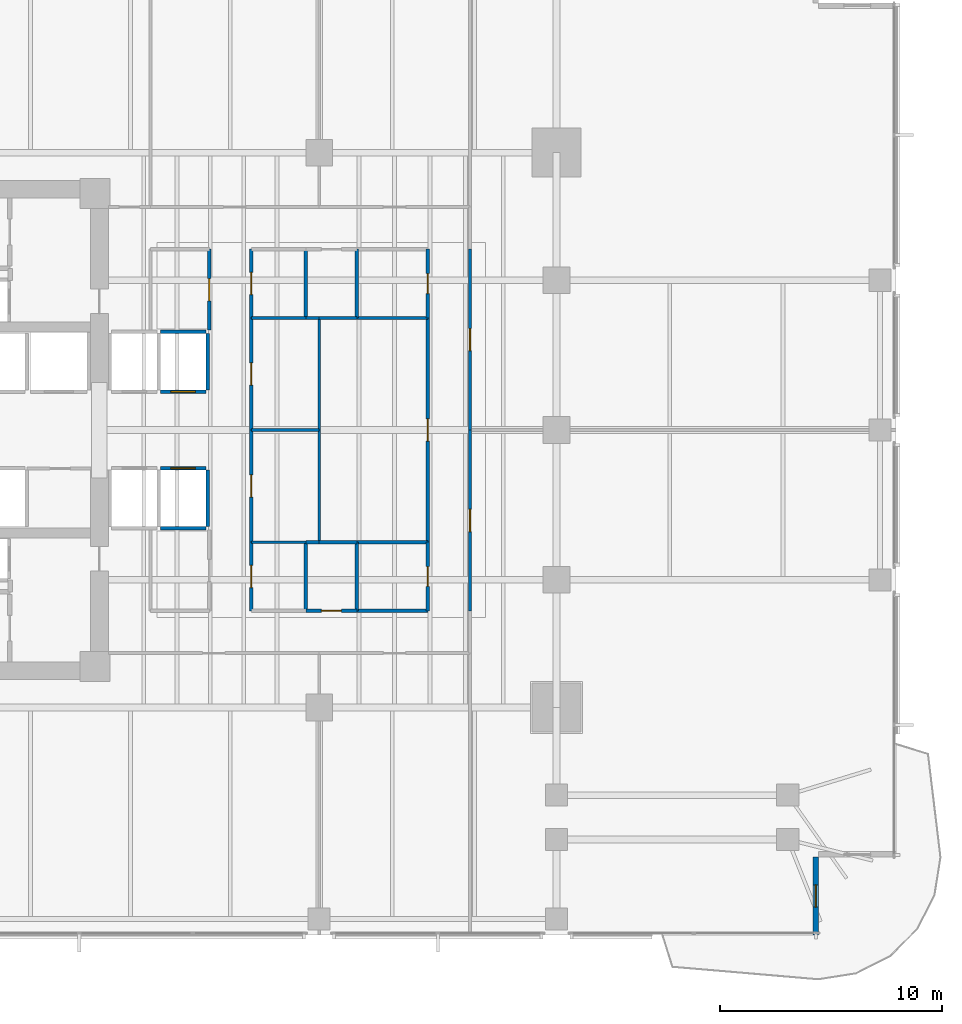
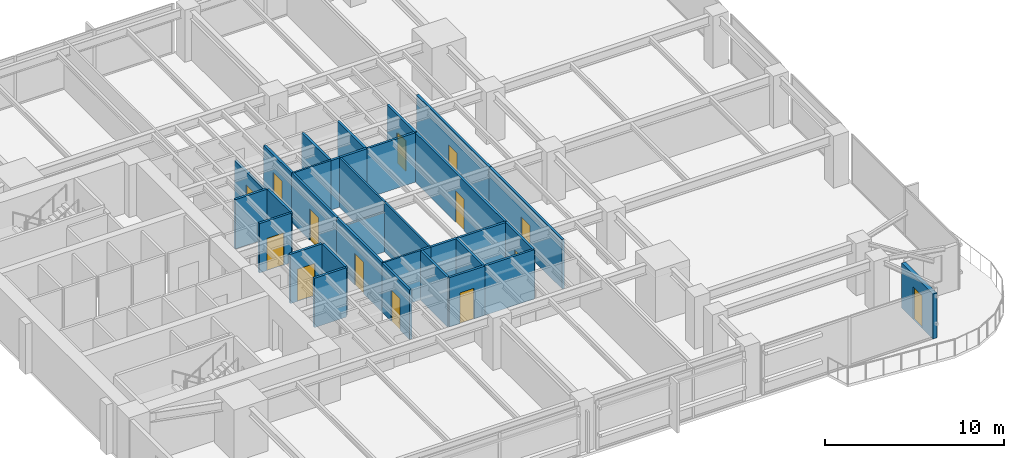
# One storey, part 9 of 15: 34 walls, 14 doors, 14 openings.
"""IFC4 building model written with IfcOpenShell, lengths in metres."""

from ifc_helpers import new_model, si_unit, direction, frame, frame_2d, origin, place, context, subcontext, project, spatial, rectangle, extrude, material, layer, layer_set, type_object, element, fill, save


model = new_model("IFC4")

# Units and contexts
model_context = context("Model", 3, precision=1e-05, world=origin(), true_north=direction((0.0, 1.0)))
body_context = subcontext(model_context, "Body", "Model", "MODEL_VIEW")
ifc_project = project(units=[si_unit("LENGTHUNIT", "METRE"), si_unit("AREAUNIT", "SQUARE_METRE"), si_unit("VOLUMEUNIT", "CUBIC_METRE"), si_unit("PLANEANGLEUNIT", "RADIAN"), si_unit("MASSUNIT", "GRAM", prefix="KILO")], contexts=[model_context])

# Site, building, storey
site_placement = place(None, origin())
site = spatial("IfcSite", under=ifc_project, at=site_placement, CompositionType="ELEMENT")
building_placement = place(site_placement, origin())
building = spatial("IfcBuilding", under=site, at=building_placement, Name="Kinhvarn Gate Tower", CompositionType="ELEMENT")
storey_placement = place(building_placement, frame((0.0, 0.0, 43.35009765625)))
storey = spatial("IfcBuildingStorey", under=building, at=storey_placement, Name="L10", CompositionType="ELEMENT", Elevation=43.35009765625)

# Wall, opening, door
ifc_material_1 = material(Name="Fired architectural terracotta", Category="masonry")
ifc_layer_1 = layer(ifc_material_1, 0.25)
ifc_layer_set_1 = layer_set([ifc_layer_1], Name="Fired architectural terracotta")
wall_type_1 = type_object("IfcWallType", Name="WL-EXT-250", PredefinedType="SOLIDWALL", material=ifc_layer_set_1)
wall_1_placement = place(storey_placement, frame((49.875, 2.5, 0.0), z_axis=(0.0, 0.0, 1.0), x_axis=(0.0, 1.0, 0.0)))
wall_1 = element("IfcWall", 1, at=wall_1_placement, inside=storey, type_object=wall_type_1, Name="Exterior Solidwall Wall EW-250 (L10 SE-Notch-Door)", PredefinedType="SOLIDWALL", context=body_context, shape_type="SweptSolid", body=[
    extrude(rectangle(XDim=3.5, YDim=0.25, at=frame_2d((1.75, 0.0))), origin(), (0.0, 0.0, 1.0), 3.06982421875),
])
opening_1_placement = place(wall_1_placement, frame((1.25, 0.0, 0.0)))
opening_1 = element("IfcOpeningElement", 2, at=opening_1_placement, cuts=wall_1, Name="Opening BD-01", PredefinedType="OPENING", context=body_context, shape_type="SweptSolid", body=[
    extrude(rectangle(XDim=1.0, YDim=2.199951171875, at=frame_2d((0.5, 1.10009765625))), frame((0.0, 0.135009765625, 0.0), z_axis=(0.0, -1.0, 0.0), x_axis=(1.0, 0.0, 0.0)), (0.0, 0.0, 1.0), 0.27001953125),
])
ifc_material_2 = material(Name="Clear low-e double glazing", Category="glass")
door_type_1 = type_object("IfcDoorType", Name="DR-BAL-1000", OperationType="NOTDEFINED", PredefinedType="DOOR", material=ifc_material_2)
door_1_placement = place(opening_1_placement, frame((1.0, 0.0, 0.0), z_axis=(0.0, 0.0, 1.0), x_axis=(-1.0, 0.0, 0.0)))
door_1 = element("IfcDoor", 3, at=door_1_placement, inside=storey, type_object=door_type_1, Name="S-Carve Balcony Door BD-01 (L10)", OperationType="SINGLE_SWING_LEFT", OverallHeight=2.199951171875, OverallWidth=1.0, PredefinedType="DOOR", context=body_context, shape_type="SweptSolid", body=[
    extrude(rectangle(XDim=1.0, YDim=2.199951171875, at=frame_2d((0.5, 1.10009765625))), frame((0.0, 0.02490234375, 0.0), z_axis=(0.0, -1.0, 0.0), x_axis=(1.0, 0.0, 0.0)), (0.0, 0.0, 1.0), 0.050048828125),
])
fill(opening_1, door_1)

# Walls
ifc_material_3 = material(Name="Gypsum acoustic partition board")
ifc_layer_2 = layer(ifc_material_3, 0.14990234375)
ifc_layer_set_2 = layer_set([ifc_layer_2], Name="Gypsum acoustic partition board")
wall_type_2 = type_object("IfcWallType", Name="WL-PLM-150", PredefinedType="PLUMBINGWALL", material=ifc_layer_set_2)
wall_2_placement = place(storey_placement, frame((29.199951171875, 17.10009765625, 0.0), z_axis=(0.0, 0.0, 1.0), x_axis=(0.0, 1.0, 0.0)))
element("IfcWall", 4, at=wall_2_placement, inside=storey, type_object=wall_type_2, Name="Interior Partition PLW-150 (L10)", PredefinedType="PLUMBINGWALL", context=body_context, shape_type="SweptSolid", body=[
    extrude(rectangle(XDim=3.099853515625, YDim=0.14990234375, at=frame_2d((1.5498046875, 0.0))), origin(), (0.0, 0.0, 1.0), 3.369873046875),
])
wall_3_placement = place(storey_placement, frame((29.199951171875, 20.199951171875, 0.0), z_axis=(0.0, 0.0, 1.0), x_axis=(1.0, 0.0, 0.0)))
element("IfcWall", 5, at=wall_3_placement, inside=storey, type_object=wall_type_2, Name="Interior Partition PLW-150 (L10)", PredefinedType="PLUMBINGWALL", context=body_context, shape_type="SweptSolid", body=[
    extrude(rectangle(XDim=3.199951171875, YDim=0.14990234375, at=frame_2d((1.60009765625, 0.0))), origin(), (0.0, 0.0, 1.0), 3.369873046875),
])
wall_4_placement = place(storey_placement, frame((29.199951171875, 30.300048828125, 0.0), z_axis=(0.0, 0.0, 1.0), x_axis=(0.0, 1.0, 0.0)))
element("IfcWall", 6, at=wall_4_placement, inside=storey, type_object=wall_type_2, Name="Interior Partition PLW-150 (L10)", PredefinedType="PLUMBINGWALL", context=body_context, shape_type="SweptSolid", body=[
    extrude(rectangle(XDim=3.099853515625, YDim=0.14990234375, at=frame_2d((1.5498046875, 0.0))), origin(), (0.0, 0.0, 1.0), 3.369873046875),
])
wall_5_placement = place(storey_placement, frame((29.199951171875, 30.300048828125, 0.0), z_axis=(0.0, 0.0, 1.0), x_axis=(1.0, 0.0, 0.0)))
element("IfcWall", 7, at=wall_5_placement, inside=storey, type_object=wall_type_2, Name="Interior Partition PLW-150 (L10)", PredefinedType="PLUMBINGWALL", context=body_context, shape_type="SweptSolid", body=[
    extrude(rectangle(XDim=3.199951171875, YDim=0.14990234375, at=frame_2d((1.60009765625, 0.0))), origin(), (0.0, 0.0, 1.0), 3.369873046875),
])
wall_6_placement = place(storey_placement, frame((26.89990234375, 17.10009765625, 0.0), z_axis=(0.0, 0.0, 1.0), x_axis=(0.0, 1.0, 0.0)))
element("IfcWall", 8, at=wall_6_placement, inside=storey, type_object=wall_type_2, Name="Interior Partition PLW-150 (L10)", PredefinedType="PLUMBINGWALL", context=body_context, shape_type="SweptSolid", body=[
    extrude(rectangle(XDim=3.099853515625, YDim=0.14990234375, at=frame_2d((1.5498046875, 0.0))), origin(), (0.0, 0.0, 1.0), 3.369873046875),
])
wall_7_placement = place(storey_placement, frame((26.89990234375, 20.199951171875, 0.0), z_axis=(0.0, 0.0, 1.0), x_axis=(1.0, 0.0, 0.0)))
element("IfcWall", 9, at=wall_7_placement, inside=storey, type_object=wall_type_2, Name="Interior Partition PLW-150 (L10)", PredefinedType="PLUMBINGWALL", context=body_context, shape_type="SweptSolid", body=[
    extrude(rectangle(XDim=0.60009765625, YDim=0.14990234375, at=frame_2d((0.300048828125, 0.0))), origin(), (0.0, 0.0, 1.0), 3.369873046875),
])
wall_8_placement = place(storey_placement, frame((27.5, 20.199951171875, 0.0), z_axis=(0.0, 0.0, 1.0), x_axis=(1.0, 0.0, 0.0)))
element("IfcWall", 10, at=wall_8_placement, inside=storey, type_object=wall_type_2, Name="Interior Partition PLW-150 (L10)", PredefinedType="PLUMBINGWALL", context=body_context, shape_type="SweptSolid", body=[
    extrude(rectangle(XDim=1.699951171875, YDim=0.14990234375, at=frame_2d((0.85009765625, 0.0))), origin(), (0.0, 0.0, 1.0), 3.369873046875),
])
wall_9_placement = place(storey_placement, frame((26.89990234375, 30.300048828125, 0.0), z_axis=(0.0, 0.0, 1.0), x_axis=(0.0, 1.0, 0.0)))
element("IfcWall", 11, at=wall_9_placement, inside=storey, type_object=wall_type_2, Name="Interior Partition PLW-150 (L10)", PredefinedType="PLUMBINGWALL", context=body_context, shape_type="SweptSolid", body=[
    extrude(rectangle(XDim=3.099853515625, YDim=0.14990234375, at=frame_2d((1.5498046875, 0.0))), origin(), (0.0, 0.0, 1.0), 3.369873046875),
])
wall_10_placement = place(storey_placement, frame((26.89990234375, 30.300048828125, 0.0), z_axis=(0.0, 0.0, 1.0), x_axis=(1.0, 0.0, 0.0)))
element("IfcWall", 12, at=wall_10_placement, inside=storey, type_object=wall_type_2, Name="Interior Partition PLW-150 (L10)", PredefinedType="PLUMBINGWALL", context=body_context, shape_type="SweptSolid", body=[
    extrude(rectangle(XDim=0.60009765625, YDim=0.14990234375, at=frame_2d((0.300048828125, 0.0))), origin(), (0.0, 0.0, 1.0), 3.369873046875),
])
wall_11_placement = place(storey_placement, frame((27.5, 30.300048828125, 0.0), z_axis=(0.0, 0.0, 1.0), x_axis=(1.0, 0.0, 0.0)))
element("IfcWall", 13, at=wall_11_placement, inside=storey, type_object=wall_type_2, Name="Interior Partition PLW-150 (L10)", PredefinedType="PLUMBINGWALL", context=body_context, shape_type="SweptSolid", body=[
    extrude(rectangle(XDim=1.699951171875, YDim=0.14990234375, at=frame_2d((0.85009765625, 0.0))), origin(), (0.0, 0.0, 1.0), 3.369873046875),
])
ifc_layer_3 = layer(ifc_material_3, 0.14990234375)
ifc_layer_set_3 = layer_set([ifc_layer_3], Name="Gypsum acoustic partition board")
wall_type_3 = type_object("IfcWallType", Name="WL-PLM-150F", PredefinedType="PLUMBINGWALL", material=ifc_layer_set_3)
wall_12_placement = place(storey_placement, frame((29.199951171875, 17.10009765625, 0.0), z_axis=(0.0, 0.0, 1.0), x_axis=(1.0, 0.0, 0.0)))
element("IfcWall", 14, at=wall_12_placement, inside=storey, type_object=wall_type_3, Name="Interior Partition PLW-150F (L10)", PredefinedType="PLUMBINGWALL", context=body_context, shape_type="SweptSolid", body=[
    extrude(rectangle(XDim=3.199951171875, YDim=0.14990234375, at=frame_2d((1.60009765625, 0.0))), origin(), (0.0, 0.0, 1.0), 3.369873046875),
])

# Wall, opening, door
wall_13_placement = place(storey_placement, frame((26.89990234375, 17.10009765625, 0.0), z_axis=(0.0, 0.0, 1.0), x_axis=(1.0, 0.0, 0.0)))
wall_13 = element("IfcWall", 15, at=wall_13_placement, inside=storey, type_object=wall_type_3, Name="Interior Partition PLW-150F (L10)", PredefinedType="PLUMBINGWALL", context=body_context, shape_type="SweptSolid", body=[
    extrude(rectangle(XDim=2.300048828125, YDim=0.14990234375, at=frame_2d((1.14990234375, 0.0))), origin(), (0.0, 0.0, 1.0), 3.369873046875),
])
opening_2_placement = place(wall_13_placement, frame((0.699951171875, 0.0, 0.0)))
opening_2 = element("IfcOpeningElement", 16, at=opening_2_placement, cuts=wall_13, Name="Opening FD-04", PredefinedType="OPENING", context=body_context, shape_type="SweptSolid", body=[
    extrude(rectangle(XDim=0.89990234375, YDim=2.10009765625, at=frame_2d((0.449951171875, 1.050048828125))), frame((0.0, 0.0849609375, 0.0), z_axis=(0.0, -1.0, 0.0), x_axis=(1.0, 0.0, 0.0)), (0.0, 0.0, 1.0), 0.169921875),
])
ifc_material_4 = material(Name="Anodised aluminium AW-6063", Category="aluminium")
door_type_2 = type_object("IfcDoorType", Name="DR-FD-900", OperationType="NOTDEFINED", PredefinedType="DOOR", material=ifc_material_4)
door_2_placement = place(opening_2_placement, origin())
door_2 = element("IfcDoor", 17, at=door_2_placement, inside=storey, type_object=door_type_2, Name="Rated Riser & Service Closet Fire Door 900x2100 mm (L10)", OperationType="SINGLE_SWING_RIGHT", OverallHeight=2.10009765625, OverallWidth=0.89990234375, PredefinedType="DOOR", context=body_context, shape_type="SweptSolid", body=[
    extrude(rectangle(XDim=0.89990234375, YDim=2.10009765625, at=frame_2d((0.449951171875, 1.050048828125))), frame((0.0, 0.02490234375, 0.0), z_axis=(0.0, -1.0, 0.0), x_axis=(1.0, 0.0, 0.0)), (0.0, 0.0, 1.0), 0.050048828125),
])
fill(opening_2, door_2)

wall_14_placement = place(storey_placement, frame((32.39990234375, 17.10009765625, 0.0), z_axis=(0.0, 0.0, 1.0), x_axis=(0.0, 1.0, 0.0)))
wall_14 = element("IfcWall", 18, at=wall_14_placement, inside=storey, type_object=wall_type_3, Name="Interior Partition PLW-150F (L10)", PredefinedType="PLUMBINGWALL", context=body_context, shape_type="SweptSolid", body=[
    extrude(rectangle(XDim=3.099853515625, YDim=0.14990234375, at=frame_2d((1.5498046875, 0.0))), origin(), (0.0, 0.0, 1.0), 3.369873046875),
])
opening_3_placement = place(wall_14_placement, frame((1.10009765625, 0.0, 0.0)))
opening_3 = element("IfcOpeningElement", 19, at=opening_3_placement, cuts=wall_14, Name="Opening FD-04", PredefinedType="OPENING", context=body_context, shape_type="SweptSolid", body=[
    extrude(rectangle(XDim=0.89990234375, YDim=2.10009765625, at=frame_2d((0.449951171875, 1.050048828125))), frame((0.0, 0.0849609375, 0.0), z_axis=(0.0, -1.0, 0.0), x_axis=(1.0, 0.0, 0.0)), (0.0, 0.0, 1.0), 0.169921875),
])
door_3_placement = place(opening_3_placement, origin())
door_3 = element("IfcDoor", 20, at=door_3_placement, inside=storey, type_object=door_type_2, Name="Rated Riser & Service Closet Fire Door 900x2100 mm (L10)", OperationType="SINGLE_SWING_LEFT", OverallHeight=2.10009765625, OverallWidth=0.89990234375, PredefinedType="DOOR", context=body_context, shape_type="SweptSolid", body=[
    extrude(rectangle(XDim=0.89990234375, YDim=2.10009765625, at=frame_2d((0.449951171875, 1.050048828125))), frame((0.0, 0.02490234375, 0.0), z_axis=(0.0, -1.0, 0.0), x_axis=(1.0, 0.0, 0.0)), (0.0, 0.0, 1.0), 0.050048828125),
])
fill(opening_3, door_3)

wall_15_placement = place(storey_placement, frame((32.39990234375, 30.300048828125, 0.0), z_axis=(0.0, 0.0, 1.0), x_axis=(0.0, 1.0, 0.0)))
wall_15 = element("IfcWall", 21, at=wall_15_placement, inside=storey, type_object=wall_type_3, Name="Interior Partition PLW-150F (L10)", PredefinedType="PLUMBINGWALL", context=body_context, shape_type="SweptSolid", body=[
    extrude(rectangle(XDim=3.099853515625, YDim=0.14990234375, at=frame_2d((1.5498046875, 0.0))), origin(), (0.0, 0.0, 1.0), 3.369873046875),
])
opening_4_placement = place(wall_15_placement, frame((1.10009765625, 0.0, 0.0)))
opening_4 = element("IfcOpeningElement", 22, at=opening_4_placement, cuts=wall_15, Name="Opening FD-04", PredefinedType="OPENING", context=body_context, shape_type="SweptSolid", body=[
    extrude(rectangle(XDim=0.89990234375, YDim=2.10009765625, at=frame_2d((0.449951171875, 1.050048828125))), frame((0.0, 0.0849609375, 0.0), z_axis=(0.0, -1.0, 0.0), x_axis=(1.0, 0.0, 0.0)), (0.0, 0.0, 1.0), 0.169921875),
])
door_4_placement = place(opening_4_placement, origin())
door_4 = element("IfcDoor", 23, at=door_4_placement, inside=storey, type_object=door_type_2, Name="Rated Riser & Service Closet Fire Door 900x2100 mm (L10)", OperationType="SINGLE_SWING_RIGHT", OverallHeight=2.10009765625, OverallWidth=0.89990234375, PredefinedType="DOOR", context=body_context, shape_type="SweptSolid", body=[
    extrude(rectangle(XDim=0.89990234375, YDim=2.10009765625, at=frame_2d((0.449951171875, 1.050048828125))), frame((0.0, 0.02490234375, 0.0), z_axis=(0.0, -1.0, 0.0), x_axis=(1.0, 0.0, 0.0)), (0.0, 0.0, 1.0), 0.050048828125),
])
fill(opening_4, door_4)

# Walls
ifc_layer_4 = layer(ifc_material_3, 0.1201171875)
ifc_layer_set_4 = layer_set([ifc_layer_4], Name="Gypsum acoustic partition board")
wall_type_4 = type_object("IfcWallType", Name="WL-PRT-120", PredefinedType="PARTITIONING", material=ifc_layer_set_4)
for number, where, z_axis, x_axis, name in (
    (24, (24.449951171875, 20.199951171875, 0.0), (0.0, 0.0, 1.0), (1.0, 0.0, 0.0), "Interior Partition PW-120 (L10)"),
    (25, (24.449951171875, 30.300048828125, 0.0), (0.0, 0.0, 1.0), (1.0, 0.0, 0.0), "Interior Partition PW-120 (L10)"),
):
    element("IfcWall", number, at=place(storey_placement, frame(where, z_axis=z_axis, x_axis=x_axis)), inside=storey, type_object=wall_type_4, Name=name, PredefinedType="PARTITIONING", context=body_context, shape_type="SweptSolid", body=[
        extrude(rectangle(XDim=2.449951171875, YDim=0.1201171875, at=frame_2d((1.22509765625, 0.0))), origin(), (0.0, 0.0, 1.0), 3.369873046875),
    ])
wall_16_placement = place(storey_placement, frame((24.449951171875, 25.25, 0.0), z_axis=(0.0, 0.0, 1.0), x_axis=(1.0, 0.0, 0.0)))
element("IfcWall", 26, at=wall_16_placement, inside=storey, type_object=wall_type_4, Name="Interior Partition PW-120 (L10)", PredefinedType="PARTITIONING", context=body_context, shape_type="SweptSolid", body=[
    extrude(rectangle(XDim=3.050048828125, YDim=0.1201171875, at=frame_2d((1.52490234375, 0.0))), origin(), (0.0, 0.0, 1.0), 2.719970703125),
])
for number, where, z_axis, x_axis, name in (
    (27, (27.5, 20.199951171875, 0.0), (0.0, 0.0, 1.0), (0.0, 1.0, 0.0), "Interior Partition PW-120 (L10)"),
    (28, (27.5, 25.25, 0.0), (0.0, 0.0, 1.0), (0.0, 1.0, 0.0), "Interior Partition PW-120 (L10)"),
):
    element("IfcWall", number, at=place(storey_placement, frame(where, z_axis=z_axis, x_axis=x_axis)), inside=storey, type_object=wall_type_4, Name=name, PredefinedType="PARTITIONING", context=body_context, shape_type="SweptSolid", body=[
        extrude(rectangle(XDim=5.050048828125, YDim=0.1201171875, at=frame_2d((2.52490234375, 0.0))), origin(), (0.0, 0.0, 1.0), 3.369873046875),
    ])

# Wall, opening, door
ifc_layer_5 = layer(ifc_material_3, 0.14990234375)
ifc_layer_set_5 = layer_set([ifc_layer_5], Name="Gypsum acoustic partition board")
wall_type_5 = type_object("IfcWallType", Name="WL-PRT-150F", PredefinedType="PARTITIONING", material=ifc_layer_set_5)
wall_17_placement = place(storey_placement, frame((22.550048828125, 29.75, 0.0), z_axis=(0.0, 0.0, 1.0), x_axis=(0.0, 1.0, 0.0)))
wall_17 = element("IfcWall", 29, at=wall_17_placement, inside=storey, type_object=wall_type_5, Name="Interior Partition PW-150F (L10)", PredefinedType="PARTITIONING", context=body_context, shape_type="SweptSolid", body=[
    extrude(rectangle(XDim=3.64990234375, YDim=0.14990234375, at=frame_2d((1.824951171875, 0.0))), origin(), (0.0, 0.0, 1.0), 3.010009765625),
])
opening_5_placement = place(wall_17_placement, frame((1.324951171875, 0.0, 0.0)))
opening_5 = element("IfcOpeningElement", 30, at=opening_5_placement, cuts=wall_17, Name="Opening ID-02", PredefinedType="OPENING", context=body_context, shape_type="SweptSolid", body=[
    extrude(rectangle(XDim=1.0, YDim=2.14990234375, at=frame_2d((0.5, 1.074951171875))), frame((0.0, 0.0849609375, 0.0), z_axis=(0.0, -1.0, 0.0), x_axis=(1.0, 0.0, 0.0)), (0.0, 0.0, 1.0), 0.169921875),
])
door_type_3 = type_object("IfcDoorType", Name="DR-INT-1000", OperationType="NOTDEFINED", PredefinedType="DOOR", material=ifc_material_4)
door_5_placement = place(opening_5_placement, origin())
door_5 = element("IfcDoor", 31, at=door_5_placement, inside=storey, type_object=door_type_3, Name="Standard Office & Meeting Room Door 1000x2150 mm (L10)", OperationType="SINGLE_SWING_LEFT", OverallHeight=2.14990234375, OverallWidth=1.0, PredefinedType="DOOR", context=body_context, shape_type="SweptSolid", body=[
    extrude(rectangle(XDim=1.0, YDim=2.14990234375, at=frame_2d((0.5, 1.074951171875))), frame((0.0, 0.02490234375, 0.0), z_axis=(0.0, -1.0, 0.0), x_axis=(1.0, 0.0, 0.0)), (0.0, 0.0, 1.0), 0.050048828125),
])
fill(opening_5, door_5)

wall_18_placement = place(storey_placement, frame((24.449951171875, 17.10009765625, 0.0), z_axis=(0.0, 0.0, 1.0), x_axis=(0.0, 1.0, 0.0)))
wall_18 = element("IfcWall", 32, at=wall_18_placement, inside=storey, type_object=wall_type_5, Name="Interior Partition PW-150F (L10)", PredefinedType="PARTITIONING", context=body_context, shape_type="SweptSolid", body=[
    extrude(rectangle(XDim=3.099853515625, YDim=0.14990234375, at=frame_2d((1.5498046875, 0.0))), origin(), (0.0, 0.0, 1.0), 3.369873046875),
])
opening_6_placement = place(wall_18_placement, frame((1.050048828125, 0.0, 0.0)))
opening_6 = element("IfcOpeningElement", 33, at=opening_6_placement, cuts=wall_18, Name="Opening ID-02", PredefinedType="OPENING", context=body_context, shape_type="SweptSolid", body=[
    extrude(rectangle(XDim=1.0, YDim=2.14990234375, at=frame_2d((0.5, 1.074951171875))), frame((0.0, 0.0849609375, 0.0), z_axis=(0.0, -1.0, 0.0), x_axis=(1.0, 0.0, 0.0)), (0.0, 0.0, 1.0), 0.169921875),
])
door_6_placement = place(opening_6_placement, origin())
door_6 = element("IfcDoor", 34, at=door_6_placement, inside=storey, type_object=door_type_3, Name="Standard Office & Meeting Room Door 1000x2150 mm (L10)", OperationType="SINGLE_SWING_RIGHT", OverallHeight=2.14990234375, OverallWidth=1.0, PredefinedType="DOOR", context=body_context, shape_type="SweptSolid", body=[
    extrude(rectangle(XDim=1.0, YDim=2.14990234375, at=frame_2d((0.5, 1.074951171875))), frame((0.0, 0.02490234375, 0.0), z_axis=(0.0, -1.0, 0.0), x_axis=(1.0, 0.0, 0.0)), (0.0, 0.0, 1.0), 0.050048828125),
])
fill(opening_6, door_6)

wall_19_placement = place(storey_placement, frame((24.449951171875, 30.300048828125, 0.0), z_axis=(0.0, 0.0, 1.0), x_axis=(0.0, 1.0, 0.0)))
wall_19 = element("IfcWall", 35, at=wall_19_placement, inside=storey, type_object=wall_type_5, Name="Interior Partition PW-150F (L10)", PredefinedType="PARTITIONING", context=body_context, shape_type="SweptSolid", body=[
    extrude(rectangle(XDim=3.099853515625, YDim=0.14990234375, at=frame_2d((1.5498046875, 0.0))), origin(), (0.0, 0.0, 1.0), 3.369873046875),
])
opening_7_placement = place(wall_19_placement, frame((1.050048828125, 0.0, 0.0)))
opening_7 = element("IfcOpeningElement", 36, at=opening_7_placement, cuts=wall_19, Name="Opening ID-02", PredefinedType="OPENING", context=body_context, shape_type="SweptSolid", body=[
    extrude(rectangle(XDim=1.0, YDim=2.14990234375, at=frame_2d((0.5, 1.074951171875))), frame((0.0, 0.0849609375, 0.0), z_axis=(0.0, -1.0, 0.0), x_axis=(1.0, 0.0, 0.0)), (0.0, 0.0, 1.0), 0.169921875),
])
door_7_placement = place(opening_7_placement, origin())
door_7 = element("IfcDoor", 37, at=door_7_placement, inside=storey, type_object=door_type_3, Name="Standard Office & Meeting Room Door 1000x2150 mm (L10)", OperationType="SINGLE_SWING_LEFT", OverallHeight=2.14990234375, OverallWidth=1.0, PredefinedType="DOOR", context=body_context, shape_type="SweptSolid", body=[
    extrude(rectangle(XDim=1.0, YDim=2.14990234375, at=frame_2d((0.5, 1.074951171875))), frame((0.0, 0.02490234375, 0.0), z_axis=(0.0, -1.0, 0.0), x_axis=(1.0, 0.0, 0.0)), (0.0, 0.0, 1.0), 0.050048828125),
])
fill(opening_7, door_7)

wall_20_placement = place(storey_placement, frame((24.449951171875, 20.199951171875, 0.0), z_axis=(0.0, 0.0, 1.0), x_axis=(0.0, 1.0, 0.0)))
wall_20 = element("IfcWall", 38, at=wall_20_placement, inside=storey, type_object=wall_type_5, Name="Interior Partition PW-150F (L10)", PredefinedType="PARTITIONING", context=body_context, shape_type="SweptSolid", body=[
    extrude(rectangle(XDim=5.050048828125, YDim=0.14990234375, at=frame_2d((2.52490234375, 0.0))), origin(), (0.0, 0.0, 1.0), 3.369873046875),
])
opening_8_placement = place(wall_20_placement, frame((2.02490234375, 0.0, 0.0)))
opening_8 = element("IfcOpeningElement", 39, at=opening_8_placement, cuts=wall_20, Name="Opening ID-02", PredefinedType="OPENING", context=body_context, shape_type="SweptSolid", body=[
    extrude(rectangle(XDim=1.0, YDim=2.14990234375, at=frame_2d((0.5, 1.074951171875))), frame((0.0, 0.0849609375, 0.0), z_axis=(0.0, -1.0, 0.0), x_axis=(1.0, 0.0, 0.0)), (0.0, 0.0, 1.0), 0.169921875),
])
door_8_placement = place(opening_8_placement, origin())
door_8 = element("IfcDoor", 40, at=door_8_placement, inside=storey, type_object=door_type_3, Name="Standard Office & Meeting Room Door 1000x2150 mm (L10)", OperationType="SINGLE_SWING_RIGHT", OverallHeight=2.14990234375, OverallWidth=1.0, PredefinedType="DOOR", context=body_context, shape_type="SweptSolid", body=[
    extrude(rectangle(XDim=1.0, YDim=2.14990234375, at=frame_2d((0.5, 1.074951171875))), frame((0.0, 0.02490234375, 0.0), z_axis=(0.0, -1.0, 0.0), x_axis=(1.0, 0.0, 0.0)), (0.0, 0.0, 1.0), 0.050048828125),
])
fill(opening_8, door_8)

wall_21_placement = place(storey_placement, frame((24.449951171875, 25.25, 0.0), z_axis=(0.0, 0.0, 1.0), x_axis=(0.0, 1.0, 0.0)))
wall_21 = element("IfcWall", 41, at=wall_21_placement, inside=storey, type_object=wall_type_5, Name="Interior Partition PW-150F (L10)", PredefinedType="PARTITIONING", context=body_context, shape_type="SweptSolid", body=[
    extrude(rectangle(XDim=5.050048828125, YDim=0.14990234375, at=frame_2d((2.52490234375, 0.0))), origin(), (0.0, 0.0, 1.0), 3.369873046875),
])
opening_9_placement = place(wall_21_placement, frame((2.02490234375, 0.0, 0.0)))
opening_9 = element("IfcOpeningElement", 42, at=opening_9_placement, cuts=wall_21, Name="Opening ID-02", PredefinedType="OPENING", context=body_context, shape_type="SweptSolid", body=[
    extrude(rectangle(XDim=1.0, YDim=2.14990234375, at=frame_2d((0.5, 1.074951171875))), frame((0.0, 0.0849609375, 0.0), z_axis=(0.0, -1.0, 0.0), x_axis=(1.0, 0.0, 0.0)), (0.0, 0.0, 1.0), 0.169921875),
])
door_9_placement = place(opening_9_placement, origin())
door_9 = element("IfcDoor", 43, at=door_9_placement, inside=storey, type_object=door_type_3, Name="Standard Office & Meeting Room Door 1000x2150 mm (L10)", OperationType="SINGLE_SWING_LEFT", OverallHeight=2.14990234375, OverallWidth=1.0, PredefinedType="DOOR", context=body_context, shape_type="SweptSolid", body=[
    extrude(rectangle(XDim=1.0, YDim=2.14990234375, at=frame_2d((0.5, 1.074951171875))), frame((0.0, 0.02490234375, 0.0), z_axis=(0.0, -1.0, 0.0), x_axis=(1.0, 0.0, 0.0)), (0.0, 0.0, 1.0), 0.050048828125),
])
fill(opening_9, door_9)

wall_22_placement = place(storey_placement, frame((32.39990234375, 20.199951171875, 0.0), z_axis=(0.0, 0.0, 1.0), x_axis=(0.0, 1.0, 0.0)))
wall_22 = element("IfcWall", 44, at=wall_22_placement, inside=storey, type_object=wall_type_5, Name="Interior Partition PW-150F (L10)", PredefinedType="PARTITIONING", context=body_context, shape_type="SweptSolid", body=[
    extrude(rectangle(XDim=10.10009765625, YDim=0.14990234375, at=frame_2d((5.050048828125, 0.0))), origin(), (0.0, 0.0, 1.0), 3.369873046875),
])
opening_10_placement = place(wall_22_placement, frame((4.550048828125, 0.0, 0.0)))
opening_10 = element("IfcOpeningElement", 45, at=opening_10_placement, cuts=wall_22, Name="Opening ID-02", PredefinedType="OPENING", context=body_context, shape_type="SweptSolid", body=[
    extrude(rectangle(XDim=1.0, YDim=2.14990234375, at=frame_2d((0.5, 1.074951171875))), frame((0.0, 0.0849609375, 0.0), z_axis=(0.0, -1.0, 0.0), x_axis=(1.0, 0.0, 0.0)), (0.0, 0.0, 1.0), 0.169921875),
])
door_10_placement = place(opening_10_placement, origin())
door_10 = element("IfcDoor", 46, at=door_10_placement, inside=storey, type_object=door_type_3, Name="Standard Office & Meeting Room Door 1000x2150 mm (L10)", OperationType="SINGLE_SWING_LEFT", OverallHeight=2.14990234375, OverallWidth=1.0, PredefinedType="DOOR", context=body_context, shape_type="SweptSolid", body=[
    extrude(rectangle(XDim=1.0, YDim=2.14990234375, at=frame_2d((0.5, 1.074951171875))), frame((0.0, 0.02490234375, 0.0), z_axis=(0.0, -1.0, 0.0), x_axis=(1.0, 0.0, 0.0)), (0.0, 0.0, 1.0), 0.050048828125),
])
fill(opening_10, door_10)

wall_23_placement = place(storey_placement, frame((34.300048828125, 17.10009765625, 0.0), z_axis=(0.0, 0.0, 1.0), x_axis=(0.0, 1.0, 0.0)))
wall_23 = element("IfcWall", 47, at=wall_23_placement, inside=storey, type_object=wall_type_5, Name="Interior Partition PW-150F (L10)", PredefinedType="PARTITIONING", context=body_context, shape_type="SweptSolid", body=[
    extrude(rectangle(XDim=8.14990234375, YDim=0.14990234375, at=frame_2d((4.074951171875, 0.0))), origin(), (0.0, 0.0, 1.0), 3.369873046875),
])
opening_11_placement = place(wall_23_placement, frame((3.574951171875, 0.0, 0.0)))
opening_11 = element("IfcOpeningElement", 48, at=opening_11_placement, cuts=wall_23, Name="Opening ID-02", PredefinedType="OPENING", context=body_context, shape_type="SweptSolid", body=[
    extrude(rectangle(XDim=1.0, YDim=2.14990234375, at=frame_2d((0.5, 1.074951171875))), frame((0.0, 0.0849609375, 0.0), z_axis=(0.0, -1.0, 0.0), x_axis=(1.0, 0.0, 0.0)), (0.0, 0.0, 1.0), 0.169921875),
])
door_11_placement = place(opening_11_placement, origin())
door_11 = element("IfcDoor", 49, at=door_11_placement, inside=storey, type_object=door_type_3, Name="Standard Office & Meeting Room Door 1000x2150 mm (L10)", OperationType="SINGLE_SWING_RIGHT", OverallHeight=2.14990234375, OverallWidth=1.0, PredefinedType="DOOR", context=body_context, shape_type="SweptSolid", body=[
    extrude(rectangle(XDim=1.0, YDim=2.14990234375, at=frame_2d((0.5, 1.074951171875))), frame((0.0, 0.02490234375, 0.0), z_axis=(0.0, -1.0, 0.0), x_axis=(1.0, 0.0, 0.0)), (0.0, 0.0, 1.0), 0.050048828125),
])
fill(opening_11, door_11)

wall_24_placement = place(storey_placement, frame((34.300048828125, 25.25, 0.0), z_axis=(0.0, 0.0, 1.0), x_axis=(0.0, 1.0, 0.0)))
wall_24 = element("IfcWall", 50, at=wall_24_placement, inside=storey, type_object=wall_type_5, Name="Interior Partition PW-150F (L10)", PredefinedType="PARTITIONING", context=body_context, shape_type="SweptSolid", body=[
    extrude(rectangle(XDim=8.14990234375, YDim=0.14990234375, at=frame_2d((4.074951171875, 0.0))), origin(), (0.0, 0.0, 1.0), 3.369873046875),
])
opening_12_placement = place(wall_24_placement, frame((3.574951171875, 0.0, 0.0)))
opening_12 = element("IfcOpeningElement", 51, at=opening_12_placement, cuts=wall_24, Name="Opening ID-02", PredefinedType="OPENING", context=body_context, shape_type="SweptSolid", body=[
    extrude(rectangle(XDim=1.0, YDim=2.14990234375, at=frame_2d((0.5, 1.074951171875))), frame((0.0, 0.0849609375, 0.0), z_axis=(0.0, -1.0, 0.0), x_axis=(1.0, 0.0, 0.0)), (0.0, 0.0, 1.0), 0.169921875),
])
door_12_placement = place(opening_12_placement, origin())
door_12 = element("IfcDoor", 52, at=door_12_placement, inside=storey, type_object=door_type_3, Name="Standard Office & Meeting Room Door 1000x2150 mm (L10)", OperationType="SINGLE_SWING_LEFT", OverallHeight=2.14990234375, OverallWidth=1.0, PredefinedType="DOOR", context=body_context, shape_type="SweptSolid", body=[
    extrude(rectangle(XDim=1.0, YDim=2.14990234375, at=frame_2d((0.5, 1.074951171875))), frame((0.0, 0.02490234375, 0.0), z_axis=(0.0, -1.0, 0.0), x_axis=(1.0, 0.0, 0.0)), (0.0, 0.0, 1.0), 0.050048828125),
])
fill(opening_12, door_12)

# Wall
ifc_layer_6 = layer(ifc_material_3, 0.14990234375)
ifc_layer_set_6 = layer_set([ifc_layer_6], Name="Gypsum acoustic partition board")
wall_type_6 = type_object("IfcWallType", Name="WL-SHF-150", PredefinedType="PARTITIONING", material=ifc_layer_set_6)
wall_25_placement = place(storey_placement, frame((20.35009765625, 20.824951171875, 0.0), z_axis=(0.0, 0.0, 1.0), x_axis=(1.0, 0.0, 0.0)))
element("IfcWall", 53, at=wall_25_placement, inside=storey, type_object=wall_type_6, Name="Elevator PL-02 Hoistway Wall S (L10)", PredefinedType="PARTITIONING", context=body_context, shape_type="SweptSolid", body=[
    extrude(rectangle(XDim=2.0498046875, YDim=0.14990234375, at=frame_2d((1.02490234375, 0.0))), origin(), (0.0, 0.0, 1.0), 3.369873046875),
])

# Wall, opening, door
wall_26_placement = place(storey_placement, frame((20.35009765625, 23.52490234375, 0.0), z_axis=(0.0, 0.0, 1.0), x_axis=(1.0, 0.0, 0.0)))
wall_26 = element("IfcWall", 54, at=wall_26_placement, inside=storey, type_object=wall_type_6, Name="Elevator PL-02 Landing Wall (L10)", PredefinedType="PARTITIONING", context=body_context, shape_type="SweptSolid", body=[
    extrude(rectangle(XDim=2.0498046875, YDim=0.14990234375, at=frame_2d((1.02490234375, 0.0))), origin(), (0.0, 0.0, 1.0), 3.369873046875),
])
opening_13_placement = place(wall_26_placement, frame((0.47509765625, 0.0, 0.0)))
opening_13 = element("IfcOpeningElement", 55, at=opening_13_placement, cuts=wall_26, Name="Opening LD-01", PredefinedType="OPENING", context=body_context, shape_type="SweptSolid", body=[
    extrude(rectangle(XDim=1.10009765625, YDim=2.199951171875, at=frame_2d((0.550048828125, 1.10009765625))), frame((0.0, 0.0849609375, 0.0), z_axis=(0.0, -1.0, 0.0), x_axis=(1.0, 0.0, 0.0)), (0.0, 0.0, 1.0), 0.169921875),
])
door_type_4 = type_object("IfcDoorType", Name="DR-LND-PAS", OperationType="NOTDEFINED", PredefinedType="DOOR", material=ifc_material_4)
door_13_placement = place(opening_13_placement, origin())
door_13 = element("IfcDoor", 56, at=door_13_placement, inside=storey, type_object=door_type_4, Name="Elevator PL-02 Sliding Landing Door (L10)", OperationType="DOUBLE_DOOR_SLIDING", OverallHeight=2.199951171875, OverallWidth=1.10009765625, PredefinedType="DOOR", context=body_context, shape_type="SweptSolid", body=[
    extrude(rectangle(XDim=1.10009765625, YDim=2.199951171875, at=frame_2d((0.550048828125, 1.10009765625))), frame((0.0, 0.02490234375, 0.0), z_axis=(0.0, -1.0, 0.0), x_axis=(1.0, 0.0, 0.0)), (0.0, 0.0, 1.0), 0.050048828125),
])
fill(opening_13, door_13)

# Wall
wall_27_placement = place(storey_placement, frame((22.47509765625, 20.89990234375, 0.0), z_axis=(0.0, 0.0, 1.0), x_axis=(0.0, 1.0, 0.0)))
element("IfcWall", 57, at=wall_27_placement, inside=storey, type_object=wall_type_6, Name="Elevator PL-02 Hoistway Wall E (L10)", PredefinedType="PARTITIONING", context=body_context, shape_type="SweptSolid", body=[
    extrude(rectangle(XDim=2.550048828125, YDim=0.14990234375, at=frame_2d((1.27490234375, 0.0))), origin(), (0.0, 0.0, 1.0), 3.369873046875),
])

# Wall, opening, door
wall_28_placement = place(storey_placement, frame((20.35009765625, 26.97509765625, 0.0), z_axis=(0.0, 0.0, 1.0), x_axis=(1.0, 0.0, 0.0)))
wall_28 = element("IfcWall", 58, at=wall_28_placement, inside=storey, type_object=wall_type_6, Name="Elevator PL-04 Landing Wall (L10)", PredefinedType="PARTITIONING", context=body_context, shape_type="SweptSolid", body=[
    extrude(rectangle(XDim=2.0498046875, YDim=0.14990234375, at=frame_2d((1.02490234375, 0.0))), origin(), (0.0, 0.0, 1.0), 3.369873046875),
])
opening_14_placement = place(wall_28_placement, frame((0.47509765625, 0.0, 0.0)))
opening_14 = element("IfcOpeningElement", 59, at=opening_14_placement, cuts=wall_28, Name="Opening LD-01", PredefinedType="OPENING", context=body_context, shape_type="SweptSolid", body=[
    extrude(rectangle(XDim=1.10009765625, YDim=2.199951171875, at=frame_2d((0.550048828125, 1.10009765625))), frame((0.0, 0.0849609375, 0.0), z_axis=(0.0, -1.0, 0.0), x_axis=(1.0, 0.0, 0.0)), (0.0, 0.0, 1.0), 0.169921875),
])
door_14_placement = place(opening_14_placement, origin())
door_14 = element("IfcDoor", 60, at=door_14_placement, inside=storey, type_object=door_type_4, Name="Elevator PL-04 Sliding Landing Door (L10)", OperationType="DOUBLE_DOOR_SLIDING", OverallHeight=2.199951171875, OverallWidth=1.10009765625, PredefinedType="DOOR", context=body_context, shape_type="SweptSolid", body=[
    extrude(rectangle(XDim=1.10009765625, YDim=2.199951171875, at=frame_2d((0.550048828125, 1.10009765625))), frame((0.0, 0.02490234375, 0.0), z_axis=(0.0, -1.0, 0.0), x_axis=(1.0, 0.0, 0.0)), (0.0, 0.0, 1.0), 0.050048828125),
])
fill(opening_14, door_14)

# Walls
wall_29_placement = place(storey_placement, frame((20.35009765625, 29.675048828125, 0.0), z_axis=(0.0, 0.0, 1.0), x_axis=(1.0, 0.0, 0.0)))
element("IfcWall", 61, at=wall_29_placement, inside=storey, type_object=wall_type_6, Name="Elevator PL-04 Hoistway Wall N (L10)", PredefinedType="PARTITIONING", context=body_context, shape_type="SweptSolid", body=[
    extrude(rectangle(XDim=2.0498046875, YDim=0.14990234375, at=frame_2d((1.02490234375, 0.0))), origin(), (0.0, 0.0, 1.0), 3.369873046875),
])
wall_30_placement = place(storey_placement, frame((22.47509765625, 27.050048828125, 0.0), z_axis=(0.0, 0.0, 1.0), x_axis=(0.0, 1.0, 0.0)))
element("IfcWall", 62, at=wall_30_placement, inside=storey, type_object=wall_type_6, Name="Elevator PL-04 Hoistway Wall E (L10)", PredefinedType="PARTITIONING", context=body_context, shape_type="SweptSolid", body=[
    extrude(rectangle(XDim=2.550048828125, YDim=0.14990234375, at=frame_2d((1.27490234375, 0.0))), origin(), (0.0, 0.0, 1.0), 3.369873046875),
])

save(model, "model.ifc")
